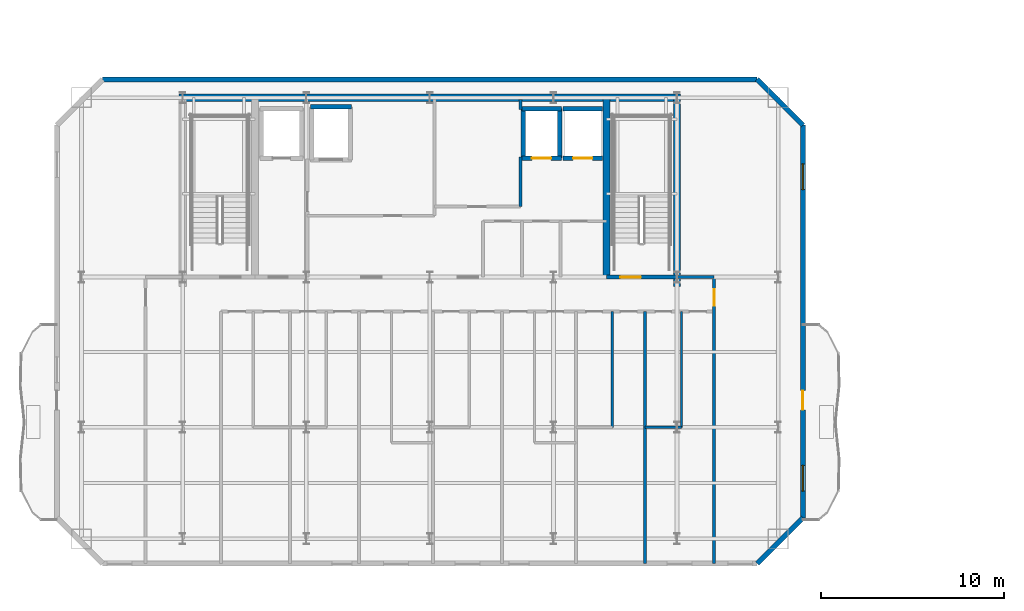
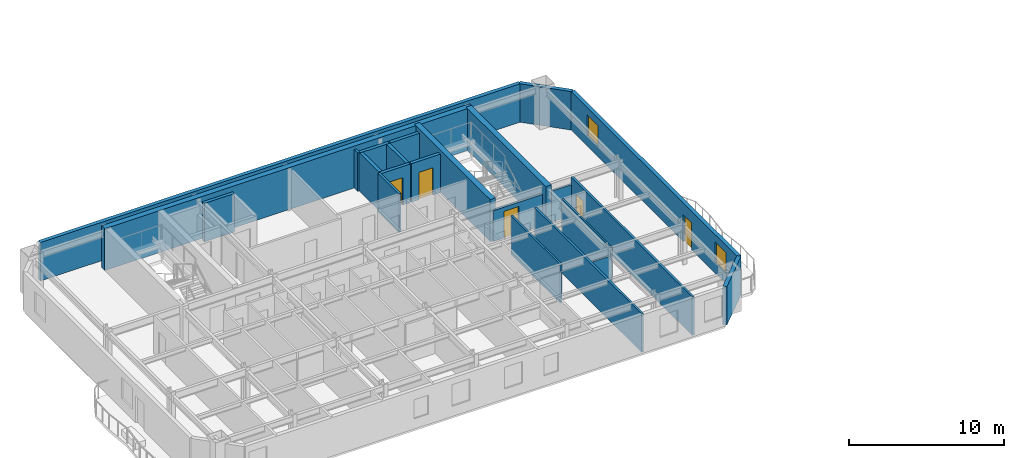
# One storey, part 7 of 14: 23 walls, 5 doors, 2 windows, 7 openings.
"""IFC4 building model written with IfcOpenShell, lengths in metres."""

from ifc_helpers import new_model, si_unit, direction, frame, frame_2d, origin, place, context, subcontext, project, spatial, rectangle, extrude, material, layer, layer_set, type_object, element, fill, save


model = new_model("IFC4")

# Units and contexts
model_context = context("Model", 3, precision=1e-05, world=origin(), true_north=direction((0.0, 1.0)))
body_context = subcontext(model_context, "Body", "Model", "MODEL_VIEW")
ifc_project = project(units=[si_unit("LENGTHUNIT", "METRE"), si_unit("AREAUNIT", "SQUARE_METRE"), si_unit("VOLUMEUNIT", "CUBIC_METRE"), si_unit("PLANEANGLEUNIT", "RADIAN"), si_unit("MASSUNIT", "GRAM", prefix="KILO")], contexts=[model_context])

# Site, building, storey
site_placement = place(None, origin())
site = spatial("IfcSite", under=ifc_project, at=site_placement, CompositionType="ELEMENT")
building_placement = place(site_placement, origin())
building = spatial("IfcBuilding", under=site, at=building_placement, Name="Haevon Station Towers", CompositionType="ELEMENT")
storey_placement = place(building_placement, frame((0.0, 0.0, 212.10009765625)))
storey = spatial("IfcBuildingStorey", under=building, at=storey_placement, Name="L58", CompositionType="ELEMENT", Elevation=212.10009765625)

# Wall, opening, door
ifc_material_1 = material(Name="Gypsum board on steel stud", Category="steel")
ifc_layer_1 = layer(ifc_material_1, 0.199951171875)
ifc_layer_set_1 = layer_set([ifc_layer_1], Name="Gypsum board on steel stud")
wall_type_1 = type_object("IfcWallType", Name="WL-COR200", PredefinedType="PARTITIONING", material=ifc_layer_set_1)
wall_1_placement = place(storey_placement, frame((47.14990234375, 38.199951171875, 0.0), z_axis=(0.0, 0.0, 1.0), x_axis=(1.0, 0.0, 0.0)))
wall_1 = element("IfcWall", 1, at=wall_1_placement, inside=storey, type_object=wall_type_1, Name="WL-ST-ST2-L58", PredefinedType="PARTITIONING", context=body_context, shape_type="SweptSolid", body=[
    extrude(rectangle(XDim=3.85009765625, YDim=0.199951171875, at=frame_2d((1.925048828125, 0.0))), origin(), (0.0, 0.0, 1.0), 2.429931640625),
])
opening_1_placement = place(wall_1_placement, frame((0.75, 0.0, 0.0)))
opening_1 = element("IfcOpeningElement", 2, at=opening_1_placement, cuts=wall_1, Name="Opening DR-ST-ST2-L58", PredefinedType="OPENING", context=body_context, shape_type="SweptSolid", body=[
    extrude(rectangle(XDim=1.1201171875, YDim=2.10009765625, at=frame_2d((0.56005859375, 1.050048828125))), frame((0.0, 0.10986328125, 0.0), z_axis=(0.0, -1.0, 0.0), x_axis=(1.0, 0.0, 0.0)), (0.0, 0.0, 1.0), 0.219970703125),
])
ifc_material_2 = material(Name="Engineered oak timber", Category="wood")
door_type_1 = type_object("IfcDoorType", Name="DR-ST-1120", OperationType="NOTDEFINED", PredefinedType="DOOR", material=ifc_material_2)
door_1_placement = place(opening_1_placement, origin())
door_1 = element("IfcDoor", 3, at=door_1_placement, inside=storey, type_object=door_type_1, Name="L58 Escape Stair ST2 Fire Door", OperationType="SINGLE_SWING_LEFT", OverallHeight=2.10009765625, OverallWidth=1.1201171875, PredefinedType="DOOR", context=body_context, shape_type="SweptSolid", body=[
    extrude(rectangle(XDim=1.1201171875, YDim=2.10009765625, at=frame_2d((0.56005859375, 1.050048828125))), frame((0.0, 0.02490234375, 0.0), z_axis=(0.0, -1.0, 0.0), x_axis=(1.0, 0.0, 0.0)), (0.0, 0.0, 1.0), 0.050048828125),
])
fill(opening_1, door_1)

# Walls
ifc_material_3 = material(Name="Concrete C60/75", Category="concrete")
ifc_layer_2 = layer(ifc_material_3, 0.39990234375)
ifc_layer_set_2 = layer_set([ifc_layer_2], Name="Concrete C60/75")
wall_type_2 = type_object("IfcWallType", Name="WL-CR400", PredefinedType="SHEAR", material=ifc_layer_set_2)
wall_2_placement = place(storey_placement, frame((23.800048828125, 48.0, 0.0), z_axis=(0.0, 0.0, 1.0), x_axis=(1.0, 0.0, 0.0)))
element("IfcWall", 4, at=wall_2_placement, inside=storey, type_object=wall_type_2, Name="WL-T1CR-L58-N", PredefinedType="SHEAR", context=body_context, shape_type="SweptSolid", body=[
    extrude(rectangle(XDim=27.39990234375, YDim=0.39990234375, at=frame_2d((13.699951171875, 0.0))), origin(), (0.0, 0.0, 1.0), 3.2998046875),
])
wall_3_placement = place(storey_placement, frame((51.0, 37.679931640625, 0.0), z_axis=(0.0, 0.0, 1.0), x_axis=(0.0, 1.0, 0.0)))
element("IfcWall", 5, at=wall_3_placement, inside=storey, type_object=wall_type_2, Name="WL-T1CR-L58-E", PredefinedType="SHEAR", context=body_context, shape_type="SweptSolid", body=[
    extrude(rectangle(XDim=10.320068359375, YDim=0.39990234375, at=frame_2d((5.16015625, 0.0))), origin(), (0.0, 0.0, 1.0), 3.2998046875),
])
wall_4_placement = place(storey_placement, frame((47.14990234375, 38.199951171875, 0.0), z_axis=(0.0, 0.0, 1.0), x_axis=(0.0, 1.0, 0.0)))
element("IfcWall", 6, at=wall_4_placement, inside=storey, type_object=wall_type_2, Name="WL-T1CR-L58-M2", PredefinedType="SHEAR", context=body_context, shape_type="SweptSolid", body=[
    extrude(rectangle(XDim=9.800048828125, YDim=0.39990234375, at=frame_2d((4.89990234375, 0.0))), origin(), (0.0, 0.0, 1.0), 3.2998046875),
])
ifc_material_4 = material(Name="Precast concrete C45/55", Category="concrete")
ifc_layer_3 = layer(ifc_material_4, 0.280029296875)
ifc_layer_set_3 = layer_set([ifc_layer_3], Name="Precast concrete C45/55")
wall_type_3 = type_object("IfcWallType", Name="WL-EXT-PIER280", PredefinedType="SOLIDWALL", material=ifc_layer_set_3)
wall_5_placement = place(storey_placement, frame((19.625, 49.0, 0.0), z_axis=(0.0, 0.0, 1.0), x_axis=(1.0, 0.0, 0.0)))
element("IfcWall", 7, at=wall_5_placement, inside=storey, type_object=wall_type_3, Name="WL-T1-L58-N", PredefinedType="SOLIDWALL", context=body_context, shape_type="SweptSolid", body=[
    extrude(rectangle(XDim=35.75, YDim=0.280029296875, at=frame_2d((17.875, 0.0))), origin(), (0.0, 0.0, 1.0), 3.02978515625),
])
wall_6_placement = place(storey_placement, frame((55.375, 49.0, 0.0), z_axis=(0.0, 0.0, 1.0), x_axis=(0.707106781187, -0.707106781187, 0.0)))
element("IfcWall", 8, at=wall_6_placement, inside=storey, type_object=wall_type_3, Name="WL-T1-L58-NEC", PredefinedType="SOLIDWALL", context=body_context, shape_type="SweptSolid", body=[
    extrude(rectangle(XDim=3.53564453125, YDim=0.280029296875, at=frame_2d((1.767822265625, 0.0))), origin(), (0.0, 0.0, 1.0), 3.02978515625),
])

# Wall, openings, door, windows
wall_7_placement = place(storey_placement, frame((57.875, 46.5, 0.0), z_axis=(0.0, 0.0, 1.0), x_axis=(0.0, -1.0, 0.0)))
wall_7 = element("IfcWall", 9, at=wall_7_placement, inside=storey, type_object=wall_type_3, Name="WL-T1-L58-E", PredefinedType="SOLIDWALL", context=body_context, shape_type="SweptSolid", body=[
    extrude(rectangle(XDim=21.449951171875, YDim=0.280029296875, at=frame_2d((10.72509765625, 0.0))), origin(), (0.0, 0.0, 1.0), 3.02978515625),
])
opening_2_placement = place(wall_7_placement, frame((14.5, 0.0, 0.0)))
opening_2 = element("IfcOpeningElement", 10, at=opening_2_placement, cuts=wall_7, Name="Opening DR-T1-SCAL-L58-E", PredefinedType="OPENING", context=body_context, shape_type="SweptSolid", body=[
    extrude(rectangle(XDim=1.050048828125, YDim=2.10009765625, at=frame_2d((0.52490234375, 1.050048828125))), frame((0.0, 0.14990234375, 0.0), z_axis=(0.0, -1.0, 0.0), x_axis=(1.0, 0.0, 0.0)), (0.0, 0.0, 1.0), 0.300048828125),
])
opening_3_placement = place(wall_7_placement, frame((2.117919921875, 0.0, 0.800048828125)))
opening_3 = element("IfcOpeningElement", 11, at=opening_3_placement, cuts=wall_7, Name="Opening WN-END140", PredefinedType="OPENING", context=body_context, shape_type="SweptSolid", body=[
    extrude(rectangle(XDim=1.39990234375, YDim=1.64990234375, at=frame_2d((0.699951171875, 0.824951171875))), frame((0.0, 0.14990234375, 0.0), z_axis=(0.0, -1.0, 0.0), x_axis=(1.0, 0.0, 0.0)), (0.0, 0.0, 1.0), 0.300048828125),
])
opening_4_placement = place(wall_7_placement, frame((18.591064453125, 0.0, 0.800048828125)))
opening_4 = element("IfcOpeningElement", 12, at=opening_4_placement, cuts=wall_7, Name="Opening WN-END140", PredefinedType="OPENING", context=body_context, shape_type="SweptSolid", body=[
    extrude(rectangle(XDim=1.39990234375, YDim=1.64990234375, at=frame_2d((0.699951171875, 0.824951171875))), frame((0.0, 0.14990234375, 0.0), z_axis=(0.0, -1.0, 0.0), x_axis=(1.0, 0.0, 0.0)), (0.0, 0.0, 1.0), 0.300048828125),
])
ifc_material_5 = material(Name="Thermally broken anodised aluminium and laminated safety glass", Category="aluminium")
door_type_2 = type_object("IfcDoorType", Name="DR-BALC-1050", OperationType="NOTDEFINED", PredefinedType="DOOR", material=ifc_material_5)
door_2_placement = place(opening_2_placement, origin())
door_2 = element("IfcDoor", 13, at=door_2_placement, inside=storey, type_object=door_type_2, Name="Tower 1 L58 East Scalloped Balcony Door", OperationType="SINGLE_SWING_LEFT", OverallHeight=2.10009765625, OverallWidth=1.050048828125, PredefinedType="DOOR", context=body_context, shape_type="SweptSolid", body=[
    extrude(rectangle(XDim=1.050048828125, YDim=2.10009765625, at=frame_2d((0.52490234375, 1.050048828125))), frame((0.0, 0.02490234375, 0.0), z_axis=(0.0, -1.0, 0.0), x_axis=(1.0, 0.0, 0.0)), (0.0, 0.0, 1.0), 0.050048828125),
])
fill(opening_2, door_2)
ifc_material_6 = material(Name="Low-E triple glazing in thermally broken aluminium", Category="aluminium")
window_type = type_object("IfcWindowType", Name="WN-END140", PartitioningType="SINGLE_PANEL", PredefinedType="WINDOW", material=ifc_material_6)
window_1_placement = place(opening_3_placement, origin())
window_1 = element("IfcWindow", 14, at=window_1_placement, inside=storey, type_object=window_type, Name="WN-T1-L58-E01", OverallHeight=1.64990234375, OverallWidth=1.39990234375, PartitioningType="SINGLE_PANEL", PredefinedType="WINDOW", context=body_context, shape_type="SweptSolid", body=[
    extrude(rectangle(XDim=1.39990234375, YDim=1.64990234375, at=frame_2d((0.699951171875, 0.824951171875))), frame((0.0, 0.030029296875, 0.0), z_axis=(0.0, -1.0, 0.0), x_axis=(1.0, 0.0, 0.0)), (0.0, 0.0, 1.0), 0.06005859375),
])
fill(opening_3, window_1)
window_2_placement = place(opening_4_placement, origin())
window_2 = element("IfcWindow", 15, at=window_2_placement, inside=storey, type_object=window_type, Name="WN-T1-L58-E02", OverallHeight=1.64990234375, OverallWidth=1.39990234375, PartitioningType="SINGLE_PANEL", PredefinedType="WINDOW", context=body_context, shape_type="SweptSolid", body=[
    extrude(rectangle(XDim=1.39990234375, YDim=1.64990234375, at=frame_2d((0.699951171875, 0.824951171875))), frame((0.0, 0.030029296875, 0.0), z_axis=(0.0, -1.0, 0.0), x_axis=(1.0, 0.0, 0.0)), (0.0, 0.0, 1.0), 0.06005859375),
])
fill(opening_4, window_2)

# Walls
wall_8_placement = place(storey_placement, frame((57.875, 25.050048828125, 0.0), z_axis=(0.0, 0.0, 1.0), x_axis=(-0.707106781187, -0.707106781187, 0.0)))
element("IfcWall", 16, at=wall_8_placement, inside=storey, type_object=wall_type_3, Name="WL-T1-L58-SEC", PredefinedType="SOLIDWALL", context=body_context, shape_type="SweptSolid", body=[
    extrude(rectangle(XDim=3.53564453125, YDim=0.280029296875, at=frame_2d((1.767822265625, 0.0))), origin(), (0.0, 0.0, 1.0), 3.02978515625),
])
ifc_layer_4 = layer(ifc_material_1, 0.125)
ifc_layer_set_4 = layer_set([ifc_layer_4], Name="Gypsum board on steel stud")
wall_type_4 = type_object("IfcWallType", Name="WL-PRT125", PredefinedType="PARTITIONING", material=ifc_layer_set_4)
wall_9_placement = place(storey_placement, frame((51.2451171875, 29.990966796875, 0.0), z_axis=(0.0, 0.0, 1.0), x_axis=(0.0, 1.0, 0.0)))
element("IfcWall", 17, at=wall_9_placement, inside=storey, type_object=wall_type_4, Name="WL-T1PT-L58-25", PredefinedType="PARTITIONING", context=body_context, shape_type="SweptSolid", body=[
    extrude(rectangle(XDim=6.3291015625, YDim=0.125, at=frame_2d((3.16455078125, 0.0))), origin(), (0.0, 0.0, 1.0), 3.02978515625),
])
ifc_layer_5 = layer(ifc_material_1, 0.139892578125)
ifc_layer_set_5 = layer_set([ifc_layer_5], Name="Gypsum board on steel stud")
wall_type_5 = type_object("IfcWallType", Name="WL-PRT140", PredefinedType="PARTITIONING", material=ifc_layer_set_5)
wall_10_placement = place(storey_placement, frame((47.47265625, 29.990966796875, 0.0), z_axis=(0.0, 0.0, 1.0), x_axis=(0.0, 1.0, 0.0)))
element("IfcWall", 18, at=wall_10_placement, inside=storey, type_object=wall_type_5, Name="WL-T1PT-L58-22", PredefinedType="PARTITIONING", context=body_context, shape_type="SweptSolid", body=[
    extrude(rectangle(XDim=6.3291015625, YDim=0.139892578125, at=frame_2d((3.16455078125, 0.0))), origin(), (0.0, 0.0, 1.0), 3.02978515625),
])
wall_11_placement = place(storey_placement, frame((49.252685546875, 29.990966796875, 0.0), z_axis=(0.0, 0.0, 1.0), x_axis=(1.0, 0.0, 0.0)))
element("IfcWall", 19, at=wall_11_placement, inside=storey, type_object=wall_type_5, Name="WL-T1PT-L58-24", PredefinedType="PARTITIONING", context=body_context, shape_type="SweptSolid", body=[
    extrude(rectangle(XDim=1.992431640625, YDim=0.139892578125, at=frame_2d((0.99609375, 0.0))), origin(), (0.0, 0.0, 1.0), 2.429931640625),
])
ifc_layer_6 = layer(ifc_material_1, 0.159912109375)
ifc_layer_set_6 = layer_set([ifc_layer_6], Name="Gypsum board on steel stud")
wall_type_6 = type_object("IfcWallType", Name="WL-PRT160", PredefinedType="PARTITIONING", material=ifc_layer_set_6)
wall_12_placement = place(storey_placement, frame((42.449951171875, 42.050048828125, 0.0), z_axis=(0.0, 0.0, 1.0), x_axis=(0.0, 1.0, 0.0)))
element("IfcWall", 20, at=wall_12_placement, inside=storey, type_object=wall_type_6, Name="WL-T1CW-L58-04", PredefinedType="PARTITIONING", context=body_context, shape_type="SweptSolid", body=[
    extrude(rectangle(XDim=2.699951171875, YDim=0.159912109375, at=frame_2d((1.35009765625, 0.0))), origin(), (0.0, 0.0, 1.0), 3.02978515625),
])
wall_13_placement = place(storey_placement, frame((42.449951171875, 47.35009765625, 0.0), z_axis=(0.0, 0.0, 1.0), x_axis=(0.0, 1.0, 0.0)))
element("IfcWall", 21, at=wall_13_placement, inside=storey, type_object=wall_type_6, Name="WL-T1CW-L58-05", PredefinedType="PARTITIONING", context=body_context, shape_type="SweptSolid", body=[
    extrude(rectangle(XDim=0.5498046875, YDim=0.159912109375, at=frame_2d((0.27490234375, 0.0))), origin(), (0.0, 0.0, 1.0), 3.02978515625),
])
wall_14_placement = place(storey_placement, frame((51.0, 38.199951171875, 0.0), z_axis=(0.0, 0.0, 1.0), x_axis=(1.0, 0.0, 0.0)))
element("IfcWall", 22, at=wall_14_placement, inside=storey, type_object=wall_type_6, Name="WL-T1PT-L58-03", PredefinedType="PARTITIONING", context=body_context, shape_type="SweptSolid", body=[
    extrude(rectangle(XDim=2.02490234375, YDim=0.159912109375, at=frame_2d((1.012451171875, 0.0))), origin(), (0.0, 0.0, 1.0), 2.429931640625),
])

# Wall, opening, door
wall_15_placement = place(storey_placement, frame((53.02490234375, 22.550048828125, 0.0), z_axis=(0.0, 0.0, 1.0), x_axis=(0.0, 1.0, 0.0)))
wall_15 = element("IfcWall", 23, at=wall_15_placement, inside=storey, type_object=wall_type_6, Name="WL-T1PT-L58-05", PredefinedType="PARTITIONING", context=body_context, shape_type="SweptSolid", body=[
    extrude(rectangle(XDim=15.64990234375, YDim=0.159912109375, at=frame_2d((7.824951171875, 0.0))), origin(), (0.0, 0.0, 1.0), 3.02978515625),
])
opening_5_placement = place(wall_15_placement, frame((14.090087890625, 0.0, 0.0)))
opening_5 = element("IfcOpeningElement", 24, at=opening_5_placement, cuts=wall_15, Name="Opening DR-WL-T1PT-L58-05-01", PredefinedType="OPENING", context=body_context, shape_type="SweptSolid", body=[
    extrude(rectangle(XDim=0.89990234375, YDim=2.050048828125, at=frame_2d((0.449951171875, 1.02490234375))), frame((0.0, 0.08984375, 0.0), z_axis=(0.0, -1.0, 0.0), x_axis=(1.0, 0.0, 0.0)), (0.0, 0.0, 1.0), 0.179931640625),
])
door_type_3 = type_object("IfcDoorType", Name="DR-INT-900", OperationType="NOTDEFINED", PredefinedType="DOOR", material=ifc_material_2)
door_3_placement = place(opening_5_placement, origin())
door_3 = element("IfcDoor", 25, at=door_3_placement, inside=storey, type_object=door_type_3, Name="L58 Tower 1 Room Door 5-1", OperationType="SINGLE_SWING_LEFT", OverallHeight=2.050048828125, OverallWidth=0.89990234375, PredefinedType="DOOR", context=body_context, shape_type="SweptSolid", body=[
    extrude(rectangle(XDim=0.89990234375, YDim=2.050048828125, at=frame_2d((0.449951171875, 1.02490234375))), frame((0.0, 0.02490234375, 0.0), z_axis=(0.0, -1.0, 0.0), x_axis=(1.0, 0.0, 0.0)), (0.0, 0.0, 1.0), 0.050048828125),
])
fill(opening_5, door_3)

# Walls
wall_16_placement = place(storey_placement, frame((49.252685546875, 22.550048828125, 0.0), z_axis=(0.0, 0.0, 1.0), x_axis=(0.0, 1.0, 0.0)))
element("IfcWall", 26, at=wall_16_placement, inside=storey, type_object=wall_type_6, Name="WL-T1PT-L58-23", PredefinedType="PARTITIONING", context=body_context, shape_type="SweptSolid", body=[
    extrude(rectangle(XDim=13.77001953125, YDim=0.159912109375, at=frame_2d((6.885009765625, 0.0))), origin(), (0.0, 0.0, 1.0), 3.02978515625),
])
ifc_material_7 = material(Name="Concrete C40/50", Category="concrete")
ifc_layer_7 = layer(ifc_material_7, 0.239990234375)
ifc_layer_set_7 = layer_set([ifc_layer_7], Name="Concrete C40/50")
wall_type_7 = type_object("IfcWallType", Name="WL-SHF240", PredefinedType="PARTITIONING", material=ifc_layer_set_7)
wall_17_placement = place(storey_placement, frame((30.969970703125, 47.5, 0.0), z_axis=(0.0, 0.0, 1.0), x_axis=(1.0, 0.0, 0.0)))
element("IfcWall", 27, at=wall_17_placement, inside=storey, type_object=wall_type_7, Name="WL-SHF-SL1-L58-N", PredefinedType="PARTITIONING", context=body_context, shape_type="SweptSolid", body=[
    extrude(rectangle(XDim=2.260009765625, YDim=0.239990234375, at=frame_2d((1.1298828125, 0.0))), origin(), (0.0, 0.0, 1.0), 3.02978515625),
])

# Wall, opening, door
wall_18_placement = place(storey_placement, frame((42.52001953125, 44.699951171875, 0.0), z_axis=(0.0, 0.0, 1.0), x_axis=(1.0, 0.0, 0.0)))
wall_18 = element("IfcWall", 28, at=wall_18_placement, inside=storey, type_object=wall_type_7, Name="WL-SHF-PL5-L58", PredefinedType="PARTITIONING", context=body_context, shape_type="SweptSolid", body=[
    extrude(rectangle(XDim=2.159912109375, YDim=0.239990234375, at=frame_2d((1.080078125, 0.0))), origin(), (0.0, 0.0, 1.0), 3.02978515625),
])
opening_6_placement = place(wall_18_placement, frame((0.554931640625, 0.0, 0.0)))
opening_6 = element("IfcOpeningElement", 29, at=opening_6_placement, cuts=wall_18, Name="Opening LD-PL5-L58", PredefinedType="OPENING", context=body_context, shape_type="SweptSolid", body=[
    extrude(rectangle(XDim=1.050048828125, YDim=2.14990234375, at=frame_2d((0.52490234375, 1.074951171875))), frame((0.0, 0.1298828125, 0.0), z_axis=(0.0, -1.0, 0.0), x_axis=(1.0, 0.0, 0.0)), (0.0, 0.0, 1.0), 0.260009765625),
])
ifc_material_8 = material(Name="Stainless steel and rated core", Category="steel")
door_type_4 = type_object("IfcDoorType", Name="LD-PL1050", OperationType="SLIDING_TO_LEFT", PredefinedType="DOOR", material=ifc_material_8)
door_4_placement = place(opening_6_placement, origin())
door_4 = element("IfcDoor", 30, at=door_4_placement, inside=storey, type_object=door_type_4, Name="L58 Lift PL5 Sliding Landing Door", OperationType="SLIDING_TO_LEFT", OverallHeight=2.14990234375, OverallWidth=1.050048828125, PredefinedType="DOOR", context=body_context, shape_type="SweptSolid", body=[
    extrude(rectangle(XDim=1.050048828125, YDim=2.14990234375, at=frame_2d((0.52490234375, 1.074951171875))), frame((0.0, 0.02490234375, 0.0), z_axis=(0.0, -1.0, 0.0), x_axis=(1.0, 0.0, 0.0)), (0.0, 0.0, 1.0), 0.050048828125),
])
fill(opening_6, door_4)

# Walls
wall_19_placement = place(storey_placement, frame((42.52001953125, 47.39990234375, 0.0), z_axis=(0.0, 0.0, 1.0), x_axis=(1.0, 0.0, 0.0)))
element("IfcWall", 31, at=wall_19_placement, inside=storey, type_object=wall_type_7, Name="WL-SHF-PL5-L58-N", PredefinedType="PARTITIONING", context=body_context, shape_type="SweptSolid", body=[
    extrude(rectangle(XDim=2.159912109375, YDim=0.239990234375, at=frame_2d((1.080078125, 0.0))), origin(), (0.0, 0.0, 1.0), 3.02978515625),
])
for number, where, z_axis, x_axis, name in (
    (32, (42.60009765625, 44.699951171875, 0.0), (0.0, 0.0, 1.0), (0.0, 1.0, 0.0), "WL-SHF-PL5-L58-W"),
    (33, (44.60009765625, 44.699951171875, 0.0), (0.0, 0.0, 1.0), (0.0, 1.0, 0.0), "WL-SHF-PL5-L58-E"),
):
    element("IfcWall", number, at=place(storey_placement, frame(where, z_axis=z_axis, x_axis=x_axis)), inside=storey, type_object=wall_type_7, Name=name, PredefinedType="PARTITIONING", context=body_context, shape_type="SweptSolid", body=[
        extrude(rectangle(XDim=2.699951171875, YDim=0.239990234375, at=frame_2d((1.35009765625, 0.0))), origin(), (0.0, 0.0, 1.0), 3.02978515625),
    ])

# Wall, opening, door
wall_20_placement = place(storey_placement, frame((44.77001953125, 44.699951171875, 0.0), z_axis=(0.0, 0.0, 1.0), x_axis=(1.0, 0.0, 0.0)))
wall_20 = element("IfcWall", 34, at=wall_20_placement, inside=storey, type_object=wall_type_7, Name="WL-SHF-PL6-L58", PredefinedType="PARTITIONING", context=body_context, shape_type="SweptSolid", body=[
    extrude(rectangle(XDim=2.159912109375, YDim=0.239990234375, at=frame_2d((1.080078125, 0.0))), origin(), (0.0, 0.0, 1.0), 3.02978515625),
])
opening_7_placement = place(wall_20_placement, frame((0.554931640625, 0.0, 0.0)))
opening_7 = element("IfcOpeningElement", 35, at=opening_7_placement, cuts=wall_20, Name="Opening LD-PL6-L58", PredefinedType="OPENING", context=body_context, shape_type="SweptSolid", body=[
    extrude(rectangle(XDim=1.050048828125, YDim=2.14990234375, at=frame_2d((0.52490234375, 1.074951171875))), frame((0.0, 0.1298828125, 0.0), z_axis=(0.0, -1.0, 0.0), x_axis=(1.0, 0.0, 0.0)), (0.0, 0.0, 1.0), 0.260009765625),
])
door_5_placement = place(opening_7_placement, origin())
door_5 = element("IfcDoor", 36, at=door_5_placement, inside=storey, type_object=door_type_4, Name="L58 Lift PL6 Sliding Landing Door", OperationType="SLIDING_TO_LEFT", OverallHeight=2.14990234375, OverallWidth=1.050048828125, PredefinedType="DOOR", context=body_context, shape_type="SweptSolid", body=[
    extrude(rectangle(XDim=1.050048828125, YDim=2.14990234375, at=frame_2d((0.52490234375, 1.074951171875))), frame((0.0, 0.02490234375, 0.0), z_axis=(0.0, -1.0, 0.0), x_axis=(1.0, 0.0, 0.0)), (0.0, 0.0, 1.0), 0.050048828125),
])
fill(opening_7, door_5)

# Wall
wall_21_placement = place(storey_placement, frame((44.77001953125, 47.39990234375, 0.0), z_axis=(0.0, 0.0, 1.0), x_axis=(1.0, 0.0, 0.0)))
element("IfcWall", 37, at=wall_21_placement, inside=storey, type_object=wall_type_7, Name="WL-SHF-PL6-L58-N", PredefinedType="PARTITIONING", context=body_context, shape_type="SweptSolid", body=[
    extrude(rectangle(XDim=2.159912109375, YDim=0.239990234375, at=frame_2d((1.080078125, 0.0))), origin(), (0.0, 0.0, 1.0), 3.02978515625),
])

save(model, "model.ifc")
